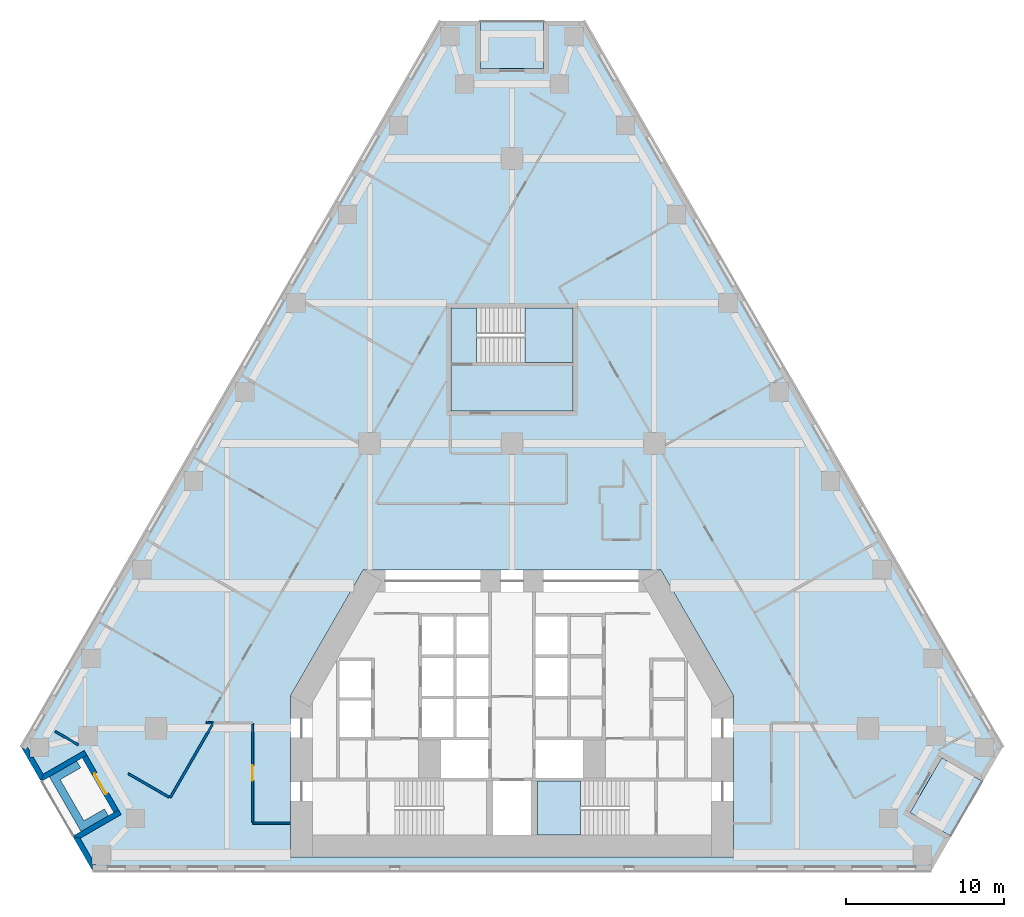
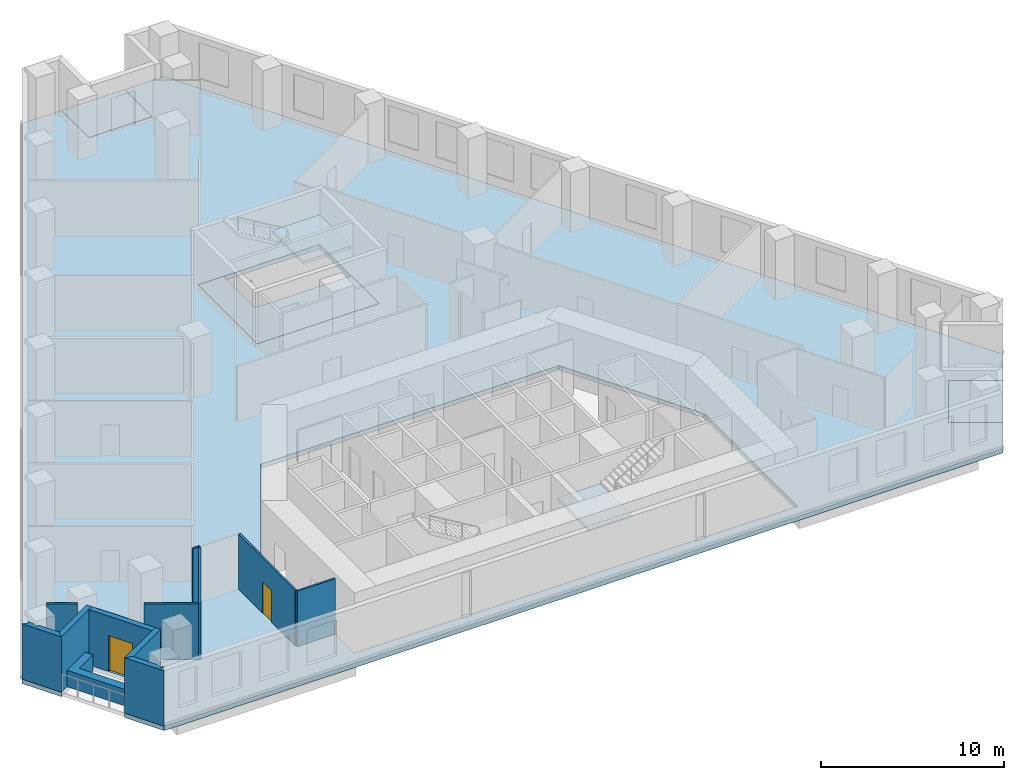
# One storey, part 2 of 9: 12 walls, 6 slabs, 2 doors, 2 openings, 2 elements without a shape of their own.
"""IFC4 building model written with IfcOpenShell, lengths in metres."""

from ifc_helpers import new_model, si_unit, direction, frame, frame_2d, origin, place, context, subcontext, project, spatial, polyline, rectangle, outline, extrude, material, layer, layer_set, type_object, element, fill, aggregate, save


model = new_model("IFC4")

# Units and contexts
model_context = context("Model", 3, precision=1e-05, world=origin(), true_north=direction((0.0, 1.0)))
body_context = subcontext(model_context, "Body", "Model", "MODEL_VIEW")
ifc_project = project(units=[si_unit("LENGTHUNIT", "METRE"), si_unit("AREAUNIT", "SQUARE_METRE"), si_unit("VOLUMEUNIT", "CUBIC_METRE"), si_unit("PLANEANGLEUNIT", "RADIAN"), si_unit("MASSUNIT", "GRAM", prefix="KILO")], contexts=[model_context])

# Site, building, storey
site_placement = place(None, origin())
site = spatial("IfcSite", under=ifc_project, at=site_placement, CompositionType="ELEMENT")
building_placement = place(site_placement, origin())
building = spatial("IfcBuilding", under=site, at=building_placement, Name="Fogline Exchange Tower", CompositionType="ELEMENT")
storey_placement = place(building_placement, frame((0.0, 0.0, 80.89990234375)))
storey = spatial("IfcBuildingStorey", under=building, at=storey_placement, Name="L17", CompositionType="ELEMENT", Elevation=80.89990234375)

# Slabs
ifc_material_1 = material(Name="Concrete C40", Category="concrete")
ifc_layer_1 = layer(ifc_material_1, 0.25)
ifc_layer_set_1 = layer_set([ifc_layer_1], Name="DK1")
slab_type_1 = type_object("IfcSlabType", Name="DK1", PredefinedType="FLOOR", material=ifc_layer_set_1)
slab_1_placement = place(storey_placement, frame((0.0, 0.0, -0.25)))
element("IfcSlab", 1, at=slab_1_placement, inside=storey, type_object=slab_type_1, Name="Balcony L17 SE", PredefinedType="FLOOR", context=body_context, shape_type="SweptSolid", body=[
    extrude(outline(polyline([(27.760498046875, 2.1650390625), (29.760498046875, 5.629150390625), (27.162353515625, 7.129150390625), (25.162353515625, 3.6650390625), (27.760498046875, 2.1650390625)])), origin(), (0.0, 0.0, 1.0), 0.25),
])
slab_2_placement = place(storey_placement, frame((0.0, 0.0, -0.25)))
element("IfcSlab", 2, at=slab_2_placement, inside=storey, type_object=slab_type_1, Name="Balcony L17 N", PredefinedType="FLOOR", context=body_context, shape_type="SweptSolid", body=[
    extrude(outline(polyline([(2.0, 53.711669921875), (-2.0, 53.711669921875), (-2.0, 50.711669921875), (2.0, 50.711669921875), (2.0, 53.711669921875)])), origin(), (0.0, 0.0, 1.0), 0.25),
])
ifc_layer_2 = layer(ifc_material_1, 0.300048828125)
ifc_layer_set_2 = layer_set([ifc_layer_2], Name="S04")
slab_type_2 = type_object("IfcSlabType", Name="S04", PredefinedType="FLOOR", material=ifc_layer_set_2)
slab_3_placement = place(storey_placement, frame((0.0, 0.0, -0.2998046875)))
element("IfcSlab", 3, at=slab_3_placement, inside=storey, type_object=slab_type_2, Name="SLAB L17", PredefinedType="FLOOR", context=body_context, shape_type="SweptSolid", body=[
    extrude(outline(polyline([(-2.0, 53.711669921875), (-4.5, 53.711669921875), (-31.010498046875, 7.794189453125), (-29.760498046875, 5.629150390625), (-27.162353515625, 7.129150390625), (-25.162353515625, 3.6650390625), (-27.760498046875, 2.1650390625), (-26.510498046875, 0.0), (26.510498046875, 0.0), (27.760498046875, 2.1650390625), (25.162353515625, 3.6650390625), (27.162353515625, 7.129150390625), (29.760498046875, 5.629150390625), (31.010498046875, 7.794189453125), (4.5, 53.711669921875), (2.0, 53.711669921875), (2.0, 50.711669921875), (-2.0, 50.711669921875), (-2.0, 53.711669921875)]), holes=[polyline([(14.0, 11.052490234375), (14.0, 0.85009765625), (-14.0, 0.85009765625), (-14.0, 11.052490234375), (-9.41162109375, 19.0), (9.41162109375, 19.0), (14.0, 11.052490234375)]), polyline([(3.85009765625, 35.556884765625), (3.85009765625, 29.056884765625), (-3.85009765625, 29.056884765625), (-3.85009765625, 35.556884765625), (3.85009765625, 35.556884765625)])]), origin(), (0.0, 0.0, 1.0), 0.2998046875),
])
slab_4_placement = place(storey_placement, frame((0.0, 0.0, -0.2998046875)))
element("IfcSlab", 4, at=slab_4_placement, inside=storey, type_object=slab_type_2, Name="Stair enclosure floor slab", PredefinedType="FLOOR", context=body_context, shape_type="SweptSolid", body=[
    extrude(outline(polyline([(3.85009765625, 29.056884765625), (-3.85009765625, 29.056884765625), (-3.85009765625, 35.556884765625), (-2.239990234375, 35.556884765625), (-2.239990234375, 32.10693359375), (3.85009765625, 32.10693359375), (3.85009765625, 29.056884765625)])), origin(), (0.0, 0.0, 1.0), 0.2998046875),
])

# Stair, slab
stair_type = type_object("IfcStairType", Name="STR24-1667", PredefinedType="HALF_TURN_STAIR", material=ifc_material_1)
stair_1_placement = place(storey_placement, origin())
stair_1 = element("IfcStair", 5, at=stair_1_placement, inside=storey, type_object=stair_type, Name="Stair ST2", PredefinedType="HALF_TURN_STAIR")
ifc_layer_3 = layer(ifc_material_1, 0.199951171875)
ifc_layer_set_3 = layer_set([ifc_layer_3], Name="SL200")
slab_type_3 = type_object("IfcSlabType", Name="SL200", PredefinedType="LANDING", material=ifc_layer_set_3)
slab_5_placement = place(storey_placement, frame((0.0, 0.0, 1.800048828125)))
slab_5 = element("IfcSlab", 6, at=slab_5_placement, type_object=slab_type_3, Name="ST2 landing 1", PredefinedType="LANDING", context=body_context, shape_type="SweptSolid", body=[
    extrude(outline(polyline([(1.60009765625, 2.25), (4.320068359375, 2.25), (4.320068359375, 5.64990234375), (1.60009765625, 5.64990234375), (1.60009765625, 2.25)])), origin(), (0.0, 0.0, 1.0), 0.199951171875),
])
aggregate(stair_1, [slab_5])

stair_2_placement = place(storey_placement, origin())
stair_2 = element("IfcStair", 7, at=stair_2_placement, inside=storey, type_object=stair_type, Name="Stair ST3", PredefinedType="HALF_TURN_STAIR")
slab_6_placement = place(storey_placement, frame((0.0, 0.0, 1.800048828125)))
slab_6 = element("IfcSlab", 8, at=slab_6_placement, type_object=slab_type_3, Name="ST3 landing 1", PredefinedType="LANDING", context=body_context, shape_type="SweptSolid", body=[
    extrude(outline(polyline([(0.830078125, 32.10693359375), (3.85009765625, 32.10693359375), (3.85009765625, 35.556884765625), (0.830078125, 35.556884765625), (0.830078125, 32.10693359375)])), origin(), (0.0, 0.0, 1.0), 0.199951171875),
])
aggregate(stair_2, [slab_6])

# Walls
ifc_material_2 = material(Name="Brick masonry", Category="masonry")
ifc_layer_4 = layer(ifc_material_2, 0.340087890625)
ifc_layer_set_4 = layer_set([ifc_layer_4], Name="FW1")
wall_type_1 = type_object("IfcWallType", Name="FW1", PredefinedType="SOLIDWALL", material=ifc_layer_set_4)
wall_1_placement = place(storey_placement, origin())
element("IfcWall", 9, at=wall_1_placement, inside=storey, type_object=wall_type_1, Name="Brick wall L17 SW-c1", PredefinedType="SOLIDWALL", context=body_context, shape_type="SweptSolid", body=[
    extrude(outline(polyline([(-29.760498046875, 5.6279296875), (-31.011474609375, 7.794921875), (-31.010986328125, 7.79541015625), (-30.71630859375, 7.625), (-30.617919921875, 7.79541015625), (-30.455810546875, 7.5146484375), (-30.455810546875, 7.194091796875), (-30.270751953125, 7.194091796875), (-29.63525390625, 6.09375), (-29.760009765625, 5.6279296875), (-29.760498046875, 5.6279296875)])), origin(), (0.0, 0.0, 1.0), 3.7001953125),
])
wall_2_placement = place(storey_placement, origin())
element("IfcWall", 10, at=wall_2_placement, inside=storey, type_object=wall_type_1, Name="Brick wall L17 SW-s1", PredefinedType="SOLIDWALL", context=body_context, shape_type="SweptSolid", body=[
    extrude(outline(polyline([(-27.03759765625, 7.594482421875), (-26.8671875, 7.298828125), (-27.162109375, 7.128662109375), (-29.760986328125, 5.628173828125), (-29.76123046875, 5.62841796875), (-29.636474609375, 6.093994140625), (-27.03759765625, 7.594482421875)])), origin(), (0.0, 0.0, 1.0), 3.7001953125),
])

# Wall, opening, door
wall_3_placement = place(storey_placement, frame((-27.01513671875, 7.214111328125, 0.0), z_axis=(0.0, 0.0, 1.0), x_axis=(0.49999894854, -0.866026010844, 0.0)))
wall_3 = element("IfcWall", 11, at=wall_3_placement, inside=storey, type_object=wall_type_1, Name="Brick wall L17 SW-bk", PredefinedType="SOLIDWALL", context=body_context, shape_type="SweptSolid", body=[
    extrude(rectangle(XDim=4.0, YDim=0.340087890625, at=frame_2d((2.0, 0.0))), origin(), (0.0, 0.0, 1.0), 3.7001953125),
])
opening_1_placement = place(wall_3_placement, frame((1.25, 0.0, 0.0)))
opening_1 = element("IfcOpeningElement", 12, at=opening_1_placement, cuts=wall_3, Name="Opening T05-E021", PredefinedType="OPENING", context=body_context, shape_type="SweptSolid", body=[
    extrude(rectangle(XDim=1.5, YDim=2.39990234375, at=frame_2d((0.75, 1.199951171875))), frame((0.0, 0.18017578125, 0.0), z_axis=(0.0, -1.0, 0.0), x_axis=(1.0, 0.0, 0.0)), (0.0, 0.0, 1.0), 0.360107421875),
])
ifc_material_3 = material(Name="Aluminium and glass", Category="aluminium")
door_type_1 = type_object("IfcDoorType", Name="ED4", OperationType="SINGLE_SWING_LEFT", PredefinedType="DOOR", material=ifc_material_3)
door_1_placement = place(opening_1_placement, frame((1.5, 0.0, 0.0), z_axis=(0.0, 0.0, 1.0), x_axis=(-1.0, 0.0, 0.0)))
door_1 = element("IfcDoor", 13, at=door_1_placement, inside=storey, type_object=door_type_1, Name="Balcony door L17 SW", OperationType="DOUBLE_DOOR_SINGLE_SWING", OverallHeight=2.39990234375, OverallWidth=1.5, PredefinedType="DOOR", context=body_context, shape_type="SweptSolid", body=[
    extrude(rectangle(XDim=1.5, YDim=2.39990234375, at=frame_2d((0.75, 1.199951171875))), frame((0.0, 0.02490234375, 0.0), z_axis=(0.0, -1.0, 0.0), x_axis=(1.0, 0.0, 0.0)), (0.0, 0.0, 1.0), 0.050048828125),
])
fill(opening_1, door_1)

# Walls
wall_4_placement = place(storey_placement, origin())
element("IfcWall", 14, at=wall_4_placement, inside=storey, type_object=wall_type_1, Name="Brick wall L17 SW-s2", PredefinedType="SOLIDWALL", context=body_context, shape_type="SweptSolid", body=[
    extrude(outline(polyline([(-27.76171875, 2.1650390625), (-25.16259765625, 3.66552734375), (-24.86767578125, 3.8359375), (-24.697021484375, 3.540283203125), (-27.2958984375, 2.0400390625), (-27.76171875, 2.164794921875), (-27.76171875, 2.1650390625)])), origin(), (0.0, 0.0, 1.0), 3.7001953125),
])
wall_5_placement = place(storey_placement, origin())
element("IfcWall", 15, at=wall_5_placement, inside=storey, type_object=wall_type_1, Name="Brick wall L17 SW-c2", PredefinedType="SOLIDWALL", context=body_context, shape_type="SweptSolid", body=[
    extrude(outline(polyline([(-26.533203125, 0.720458984375), (-26.533203125, 0.39990234375), (-26.34814453125, 0.39990234375), (-26.31298828125, 0.33935546875), (-26.509765625, 0.33935546875), (-26.509765625, -0.0009765625), (-26.510498046875, -0.001220703125), (-27.761474609375, 2.165771484375), (-27.76123046875, 2.166015625), (-27.295654296875, 2.041015625), (-26.533203125, 0.720458984375)])), origin(), (0.0, 0.0, 1.0), 3.7001953125),
])
ifc_material_4 = material(Name="Concrete C30", Category="concrete")
ifc_layer_5 = layer(ifc_material_4, 0.199951171875)
ifc_layer_set_5 = layer_set([ifc_layer_5], Name="PL1")
wall_type_2 = type_object("IfcWallType", Name="PL1", PredefinedType="USERDEFINED", material=ifc_layer_set_5)
wall_6_placement = place(storey_placement, origin())
element("IfcWall", 16, at=wall_6_placement, inside=storey, type_object=wall_type_2, Name="PLANTER balcony L17 SW", ObjectType="PLANTER", PredefinedType="USERDEFINED", context=body_context, shape_type="SweptSolid", body=[
    extrude(outline(polyline([(-25.7587890625, 3.898193359375), (-27.057861328125, 3.148193359375), (-28.557861328125, 5.74609375), (-27.2587890625, 6.49609375), (-27.5087890625, 6.92919921875), (-29.24072265625, 5.92919921875), (-28.99072265625, 5.49609375), (-27.24072265625, 2.465087890625), (-26.807861328125, 2.715087890625), (-26.807861328125, 2.715087890625), (-25.5087890625, 3.465087890625), (-25.7587890625, 3.898193359375)])), origin(), (0.0, 0.0, 1.0), 1.10009765625),
])
ifc_material_5 = material(Name="Plasterboard corridor partition with mineral wool, 2 layers each side")
ifc_layer_6 = layer(ifc_material_5, 0.125)
ifc_layer_set_6 = layer_set([ifc_layer_6], Name="PW2")
wall_type_3 = type_object("IfcWallType", Name="PW2", PredefinedType="PARTITIONING", material=ifc_layer_set_6)
wall_7_placement = place(storey_placement, frame((-14.0, 3.0, 0.0), z_axis=(0.0, 0.0, 1.0), x_axis=(-1.0, 0.0, 0.0)))
element("IfcWall", 17, at=wall_7_placement, inside=storey, type_object=wall_type_3, Name="wall-L17-W008", PredefinedType="PARTITIONING", context=body_context, shape_type="SweptSolid", body=[
    extrude(rectangle(XDim=2.39990234375, YDim=0.125, at=frame_2d((1.199951171875, 0.0))), origin(), (0.0, 0.0, 1.0), 3.7001953125),
])

# Wall, opening, door
wall_8_placement = place(storey_placement, frame((-16.39990234375, 3.0625, 0.0), z_axis=(0.0, 0.0, 1.0), x_axis=(0.0, 1.0, 0.0)))
wall_8 = element("IfcWall", 18, at=wall_8_placement, inside=storey, type_object=wall_type_3, Name="wall-L17-W009", PredefinedType="PARTITIONING", context=body_context, shape_type="SweptSolid", body=[
    extrude(rectangle(XDim=6.215087890625, YDim=0.125, at=frame_2d((3.107421875, 0.0))), origin(), (0.0, 0.0, 1.0), 3.7001953125),
])
opening_2_placement = place(wall_8_placement, frame((2.607421875, 0.0, 0.0)))
opening_2 = element("IfcOpeningElement", 19, at=opening_2_placement, cuts=wall_8, Name="Opening T05-D004", PredefinedType="OPENING", context=body_context, shape_type="SweptSolid", body=[
    extrude(rectangle(XDim=1.0, YDim=2.10009765625, at=frame_2d((0.5, 1.050048828125))), frame((0.0, 0.072509765625, 0.0), z_axis=(0.0, -1.0, 0.0), x_axis=(1.0, 0.0, 0.0)), (0.0, 0.0, 1.0), 0.14501953125),
])
ifc_material_6 = material(Name="Fire-rated timber door leaf with steel frame", Category="steel")
door_type_2 = type_object("IfcDoorType", Name="D3", OperationType="SINGLE_SWING_LEFT", PredefinedType="DOOR", material=ifc_material_6)
door_2_placement = place(opening_2_placement, origin())
door_2 = element("IfcDoor", 20, at=door_2_placement, inside=storey, type_object=door_type_2, Name="door-L17-D004", OperationType="SINGLE_SWING_LEFT", OverallHeight=2.10009765625, OverallWidth=1.0, PredefinedType="DOOR", context=body_context, shape_type="SweptSolid", body=[
    extrude(rectangle(XDim=1.0, YDim=2.10009765625, at=frame_2d((0.5, 1.050048828125))), frame((0.0, 0.02490234375, 0.0), z_axis=(0.0, -1.0, 0.0), x_axis=(1.0, 0.0, 0.0)), (0.0, 0.0, 1.0), 0.050048828125),
])
fill(opening_2, door_2)

# Walls
wall_9_placement = place(storey_placement, frame((-18.87109375, 9.340087890625, 0.0), z_axis=(0.0, 0.0, 1.0), x_axis=(-1.0, 0.0, 0.0)))
element("IfcWall", 21, at=wall_9_placement, inside=storey, type_object=wall_type_3, Name="wall-L17-W016", PredefinedType="PARTITIONING", context=body_context, shape_type="SweptSolid", body=[
    extrude(rectangle(XDim=0.4619140625, YDim=0.125, at=frame_2d((0.23095703125, 0.0))), origin(), (0.0, 0.0, 1.0), 3.7001953125),
])
ifc_material_7 = material(Name="Plasterboard demising partition with mineral wool and acoustic board")
ifc_layer_7 = layer(ifc_material_7, 0.14990234375)
ifc_layer_set_7 = layer_set([ifc_layer_7], Name="PW3")
wall_type_4 = type_object("IfcWallType", Name="PW3", PredefinedType="PARTITIONING", material=ifc_layer_set_7)
wall_10_placement = place(storey_placement, frame((-18.92919921875, 9.239501953125, 0.0), z_axis=(0.0, 0.0, 1.0), x_axis=(-0.500020946135, -0.86601331019, 0.0)))
element("IfcWall", 22, at=wall_10_placement, inside=storey, type_object=wall_type_4, Name="wall-L17-W047", PredefinedType="PARTITIONING", context=body_context, shape_type="SweptSolid", body=[
    extrude(rectangle(XDim=5.357177734375, YDim=0.14990234375, at=frame_2d((2.6787109375, 0.0))), origin(), (0.0, 0.0, 1.0), 3.7001953125),
])
wall_11_placement = place(storey_placement, frame((-21.6728515625, 4.6376953125, 0.0), z_axis=(0.0, 0.0, 1.0), x_axis=(-0.866005890814, 0.500033795933, 0.0)))
element("IfcWall", 23, at=wall_11_placement, inside=storey, type_object=wall_type_4, Name="wall-L17-W048", PredefinedType="PARTITIONING", context=body_context, shape_type="SweptSolid", body=[
    extrude(rectangle(XDim=2.986572265625, YDim=0.14990234375, at=frame_2d((1.4931640625, 0.0))), origin(), (0.0, 0.0, 1.0), 3.7001953125),
])
wall_12_placement = place(storey_placement, frame((-27.396240234375, 7.942138671875, 0.0), z_axis=(0.0, 0.0, 1.0), x_axis=(-0.866045800819, 0.499964669636, 0.0)))
element("IfcWall", 24, at=wall_12_placement, inside=storey, type_object=wall_type_4, Name="wall-L17-W049", PredefinedType="PARTITIONING", context=body_context, shape_type="SweptSolid", body=[
    extrude(rectangle(XDim=1.7158203125, YDim=0.14990234375, at=frame_2d((0.85791015625, 0.0))), origin(), (0.0, 0.0, 1.0), 3.7001953125),
])

save(model, "model.ifc")
